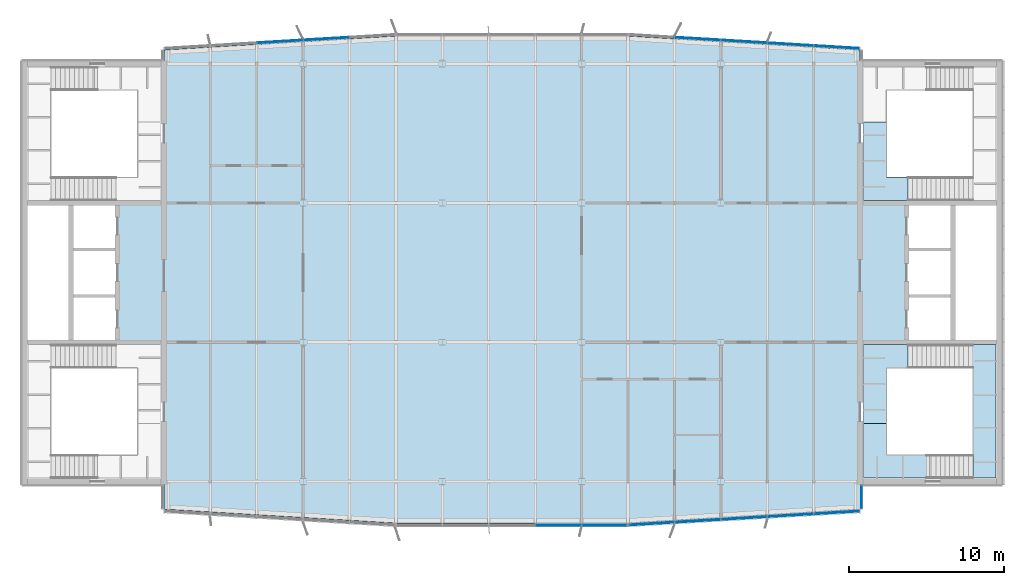
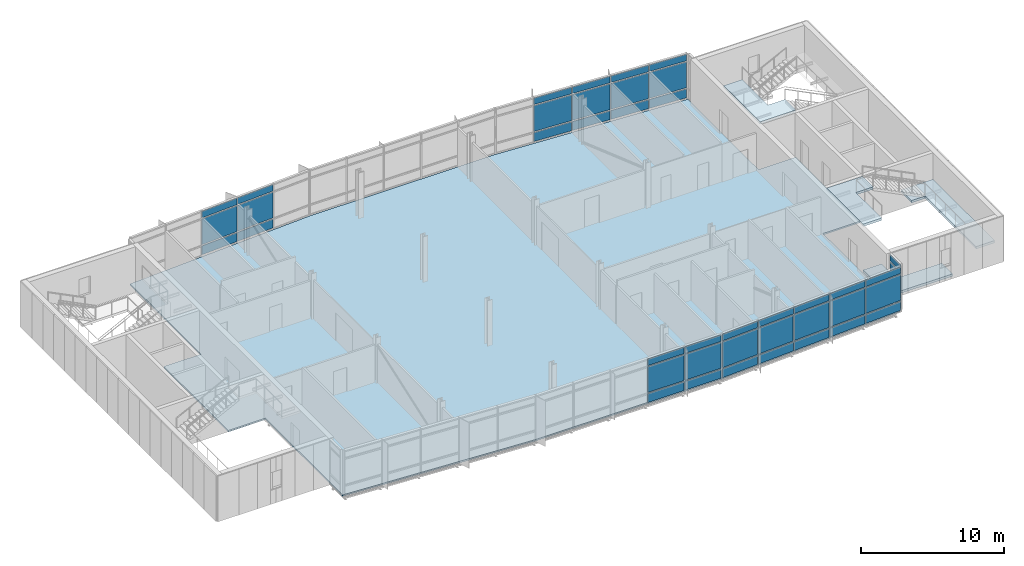
# One storey, part 12 of 21: 42 plates, 5 slabs, 7 elements without a shape of their own.
"""IFC4 building model written with IfcOpenShell, lengths in metres."""

from ifc_helpers import new_model, si_unit, direction, frame, origin, origin_2d, place, context, subcontext, project, spatial, polyline, rectangle, outline, extrude, material, layer, layer_set, type_object, element, aggregate, save


model = new_model("IFC4")

# Units and contexts
model_context = context("Model", 3, precision=1e-05, world=origin(), true_north=direction((0.0, 1.0)))
body_context = subcontext(model_context, "Body", "Model", "MODEL_VIEW")
ifc_project = project(units=[si_unit("LENGTHUNIT", "METRE"), si_unit("AREAUNIT", "SQUARE_METRE"), si_unit("VOLUMEUNIT", "CUBIC_METRE"), si_unit("PLANEANGLEUNIT", "RADIAN"), si_unit("MASSUNIT", "GRAM", prefix="KILO")], contexts=[model_context])

# Site, building, storey
site_placement = place(None, origin())
site = spatial("IfcSite", under=ifc_project, at=site_placement, CompositionType="ELEMENT")
building_placement = place(site_placement, origin())
building = spatial("IfcBuilding", under=site, at=building_placement, Name="Azimuth Sports and Learning Centre", CompositionType="ELEMENT")
storey_placement = place(building_placement, frame((0.0, 0.0, 32.39990234375)))
storey = spatial("IfcBuildingStorey", under=building, at=storey_placement, Name="L06", CompositionType="ELEMENT", Elevation=32.39990234375)

# Slab
ifc_material_1 = material(Name="Concrete C30/37", Category="concrete")
ifc_layer_1 = layer(ifc_material_1, 0.1298828125)
ifc_layer_set_1 = layer_set([ifc_layer_1], Name="Concrete C30/37")
slab_type_1 = type_object("IfcSlabType", Name="Composite floor slab 130", PredefinedType="FLOOR", material=ifc_layer_set_1)
slab_1_placement = place(storey_placement, frame((0.0, 0.0, -0.1298828125)))
element("IfcSlab", 1, at=slab_1_placement, inside=storey, type_object=slab_type_1, Name="Slab TOWER L06", PredefinedType="FLOOR", context=body_context, shape_type="SweptSolid", body=[
    extrude(outline(polyline([(78.0, 87.300048828125), (93.0, 87.300048828125), (108.0, 88.199951171875), (108.0, 99.0), (111.0, 99.0), (111.0, 108.0), (108.0, 108.0), (108.0, 117.89990234375), (93.0, 118.800048828125), (78.0, 118.800048828125), (63.0, 117.89990234375), (63.0, 108.0), (60.0, 108.0), (60.0, 99.0), (63.0, 99.0), (63.0, 88.199951171875), (78.0, 87.300048828125)])), origin(), (0.0, 0.0, 1.0), 0.1298828125),
])

# Stair, slabs
ifc_material_2 = material(Name="Concrete C32/40", Category="concrete")
stair_type = type_object("IfcStairType", Name="Square-well stair core 3900 storey", PredefinedType="THREE_QUARTER_TURN_STAIR", material=ifc_material_2)
stair_1_placement = place(storey_placement, origin())
stair_1 = element("IfcStair", 2, at=stair_1_placement, inside=storey, type_object=stair_type, Name="Stair E1 L06-L07", PredefinedType="THREE_QUARTER_TURN_STAIR")
ifc_material_3 = material(Name="Concrete C32/40", Category="concrete")
ifc_layer_2 = layer(ifc_material_3, 0.199951171875)
ifc_layer_set_2 = layer_set([ifc_layer_2], Name="Concrete C32/40")
slab_type_2 = type_object("IfcSlabType", Name="Concrete stair landing", PredefinedType="LANDING", material=ifc_layer_set_2)
slab_2_placement = place(storey_placement, frame((0.0, 0.0, -0.199951171875)))
slab_2 = element("IfcSlab", 3, at=slab_2_placement, type_object=slab_type_2, Name="Stair E1 L06 landing 1", PredefinedType="LANDING", context=body_context, shape_type="SweptSolid", body=[
    extrude(outline(polyline([(113.389892578125, 91.7099609375), (109.7099609375, 91.7099609375), (109.7099609375, 93.75), (108.2099609375, 93.75), (108.2099609375, 90.2099609375), (113.389892578125, 90.2099609375), (113.389892578125, 91.7099609375)])), origin(), (0.0, 0.0, 1.0), 0.199951171875),
])
slab_3_placement = place(storey_placement, frame((0.0, 0.0, 1.4501953125)))
slab_3 = element("IfcSlab", 4, at=slab_3_placement, type_object=slab_type_2, Name="Stair E1 L06 landing 2", PredefinedType="LANDING", context=body_context, shape_type="SweptSolid", body=[
    extrude(outline(polyline([(115.2900390625, 91.7099609375), (115.289306640625, 91.7099609375), (115.289306640625, 90.2099609375), (116.7900390625, 90.2099609375), (116.7900390625, 98.840087890625), (114.18994140625, 98.840087890625), (114.18994140625, 97.340087890625), (115.2900390625, 97.340087890625), (115.2900390625, 91.7099609375)])), origin(), (0.0, 0.0, 1.0), 0.199951171875),
])
slab_4_placement = place(storey_placement, frame((0.0, 0.0, 3.7001953125)))
slab_4 = element("IfcSlab", 5, at=slab_4_placement, type_object=slab_type_2, Name="Stair E1 L06 landing 3", PredefinedType="LANDING", context=body_context, shape_type="SweptSolid", body=[
    extrude(outline(polyline([(109.7099609375, 97.340087890625), (111.0908203125, 97.340087890625), (111.0908203125, 98.840087890625), (108.2099609375, 98.840087890625), (108.2099609375, 93.75), (109.7099609375, 93.75), (109.7099609375, 97.340087890625)])), origin(), (0.0, 0.0, 1.0), 0.199951171875),
])
aggregate(stair_1, [slab_2, slab_3, slab_4])

# Stair, slab
stair_2_placement = place(storey_placement, origin())
stair_2 = element("IfcStair", 6, at=stair_2_placement, inside=storey, type_object=stair_type, Name="Stair E2 L06-L07", PredefinedType="THREE_QUARTER_TURN_STAIR")
slab_5_placement = place(storey_placement, frame((0.0, 0.0, 3.7001953125)))
slab_5 = element("IfcSlab", 7, at=slab_5_placement, type_object=slab_type_2, Name="Stair E2 L06 landing 3", PredefinedType="LANDING", context=body_context, shape_type="SweptSolid", body=[
    extrude(outline(polyline([(109.7099609375, 109.659912109375), (109.7099609375, 113.25), (108.2099609375, 113.25), (108.2099609375, 108.159912109375), (111.0908203125, 108.159912109375), (111.0908203125, 109.659912109375), (109.7099609375, 109.659912109375)])), origin(), (0.0, 0.0, 1.0), 0.199951171875),
])
aggregate(stair_2, [slab_5])

# Curtain wall, plates
ifc_material_4 = material(Name="Aluminium and glass", Category="aluminium")
curtain_wall_type_1 = type_object("IfcCurtainWallType", Name="Curtain wall tower south 240", PredefinedType="NOTDEFINED", material=ifc_material_4)
curtain_wall_1_placement = place(storey_placement, origin())
curtain_wall_1 = element("IfcCurtainWall", 8, at=curtain_wall_1_placement, inside=storey, type_object=curtain_wall_type_1, Name="Curtain wall CW06-003", PredefinedType="NOTDEFINED")
ifc_material_5 = material(Name="Insulated aluminium panel", Category="aluminium")
ifc_layer_3 = layer(ifc_material_5, 0.050048828125)
ifc_layer_set_3 = layer_set([ifc_layer_3], Name="Insulated aluminium panel")
plate_type_1 = type_object("IfcPlateType", Name="Spandrel panel 50 mm", PredefinedType="CURTAIN_PANEL", material=ifc_layer_set_3)
plate_1_placement = place(storey_placement, frame((88.5, 87.179931640625, 0.10009765625), z_axis=(0.0, 0.0, 1.0), x_axis=(1.0, 0.0, 0.0)))
plate_1 = element("IfcPlate", 9, at=plate_1_placement, type_object=plate_type_1, Name="CW06-003 panel 4.1", PredefinedType="CURTAIN_PANEL", context=body_context, shape_type="SweptSolid", body=[
    extrude(rectangle(XDim=2.929931640625, YDim=0.050048828125, at=origin_2d()), origin(), (0.0, 0.0, 1.0), 0.75),
])
plate_2_placement = place(storey_placement, frame((88.5, 87.179931640625, 3.25), z_axis=(0.0, 0.0, 1.0), x_axis=(1.0, 0.0, 0.0)))
plate_2 = element("IfcPlate", 10, at=plate_2_placement, type_object=plate_type_1, Name="CW06-003 panel 4.3", PredefinedType="CURTAIN_PANEL", context=body_context, shape_type="SweptSolid", body=[
    extrude(rectangle(XDim=2.929931640625, YDim=0.050048828125, at=origin_2d()), origin(), (0.0, 0.0, 1.0), 0.550048828125),
])
plate_3_placement = place(storey_placement, frame((91.482421875, 87.179931640625, 0.10009765625), z_axis=(0.0, 0.0, 1.0), x_axis=(1.0, 0.0, 0.0)))
plate_3 = element("IfcPlate", 11, at=plate_3_placement, type_object=plate_type_1, Name="CW06-003 panel 5.1", PredefinedType="CURTAIN_PANEL", context=body_context, shape_type="SweptSolid", body=[
    extrude(rectangle(XDim=2.89501953125, YDim=0.050048828125, at=origin_2d()), origin(), (0.0, 0.0, 1.0), 0.75),
])
plate_4_placement = place(storey_placement, frame((91.482421875, 87.179931640625, 3.25), z_axis=(0.0, 0.0, 1.0), x_axis=(1.0, 0.0, 0.0)))
plate_4 = element("IfcPlate", 12, at=plate_4_placement, type_object=plate_type_1, Name="CW06-003 panel 5.3", PredefinedType="CURTAIN_PANEL", context=body_context, shape_type="SweptSolid", body=[
    extrude(rectangle(XDim=2.89501953125, YDim=0.050048828125, at=origin_2d()), origin(), (0.0, 0.0, 1.0), 0.550048828125),
])

curtain_wall_2_placement = place(storey_placement, origin())
curtain_wall_2 = element("IfcCurtainWall", 13, at=curtain_wall_2_placement, inside=storey, type_object=curtain_wall_type_1, Name="Curtain wall CW06-004", PredefinedType="NOTDEFINED")
plate_5_placement = place(storey_placement, frame((94.52099609375, 87.27099609375, 0.10009765625), z_axis=(0.0, 0.0, 1.0), x_axis=(0.998204863401, 0.059891991812, 0.0)))
plate_5 = element("IfcPlate", 14, at=plate_5_placement, type_object=plate_type_1, Name="CW06-004 panel 1.1", PredefinedType="CURTAIN_PANEL", context=body_context, shape_type="SweptSolid", body=[
    extrude(rectangle(XDim=2.90771484375, YDim=0.050048828125, at=origin_2d()), origin(), (0.0, 0.0, 1.0), 0.75),
])
plate_6_placement = place(storey_placement, frame((94.52099609375, 87.27099609375, 3.25), z_axis=(0.0, 0.0, 1.0), x_axis=(0.998204863401, 0.059891991812, 0.0)))
plate_6 = element("IfcPlate", 15, at=plate_6_placement, type_object=plate_type_1, Name="CW06-004 panel 1.3", PredefinedType="CURTAIN_PANEL", context=body_context, shape_type="SweptSolid", body=[
    extrude(rectangle(XDim=2.90771484375, YDim=0.050048828125, at=origin_2d()), origin(), (0.0, 0.0, 1.0), 0.550048828125),
])
plate_7_placement = place(storey_placement, frame((97.507080078125, 87.4501953125, 0.10009765625), z_axis=(0.0, 0.0, 1.0), x_axis=(0.998204863401, 0.059891991812, 0.0)))
plate_7 = element("IfcPlate", 16, at=plate_7_placement, type_object=plate_type_1, Name="CW06-004 panel 2.1", PredefinedType="CURTAIN_PANEL", context=body_context, shape_type="SweptSolid", body=[
    extrude(rectangle(XDim=2.935302734375, YDim=0.050048828125, at=origin_2d()), origin(), (0.0, 0.0, 1.0), 0.75),
])
plate_8_placement = place(storey_placement, frame((97.507080078125, 87.4501953125, 3.25), z_axis=(0.0, 0.0, 1.0), x_axis=(0.998204863401, 0.059891991812, 0.0)))
plate_8 = element("IfcPlate", 17, at=plate_8_placement, type_object=plate_type_1, Name="CW06-004 panel 2.3", PredefinedType="CURTAIN_PANEL", context=body_context, shape_type="SweptSolid", body=[
    extrude(rectangle(XDim=2.935302734375, YDim=0.050048828125, at=origin_2d()), origin(), (0.0, 0.0, 1.0), 0.550048828125),
])
plate_9_placement = place(storey_placement, frame((100.507080078125, 87.630126953125, 0.10009765625), z_axis=(0.0, 0.0, 1.0), x_axis=(0.998204863401, 0.059891991812, 0.0)))
plate_9 = element("IfcPlate", 18, at=plate_9_placement, type_object=plate_type_1, Name="CW06-004 panel 3.1", PredefinedType="CURTAIN_PANEL", context=body_context, shape_type="SweptSolid", body=[
    extrude(rectangle(XDim=2.935302734375, YDim=0.050048828125, at=origin_2d()), origin(), (0.0, 0.0, 1.0), 0.75),
])
plate_10_placement = place(storey_placement, frame((100.507080078125, 87.630126953125, 3.25), z_axis=(0.0, 0.0, 1.0), x_axis=(0.998204863401, 0.059891991812, 0.0)))
plate_10 = element("IfcPlate", 19, at=plate_10_placement, type_object=plate_type_1, Name="CW06-004 panel 3.3", PredefinedType="CURTAIN_PANEL", context=body_context, shape_type="SweptSolid", body=[
    extrude(rectangle(XDim=2.935302734375, YDim=0.050048828125, at=origin_2d()), origin(), (0.0, 0.0, 1.0), 0.550048828125),
])
plate_11_placement = place(storey_placement, frame((103.507080078125, 87.810302734375, 0.10009765625), z_axis=(0.0, 0.0, 1.0), x_axis=(0.998204863401, 0.059891991812, 0.0)))
plate_11 = element("IfcPlate", 20, at=plate_11_placement, type_object=plate_type_1, Name="CW06-004 panel 4.1", PredefinedType="CURTAIN_PANEL", context=body_context, shape_type="SweptSolid", body=[
    extrude(rectangle(XDim=2.935302734375, YDim=0.050048828125, at=origin_2d()), origin(), (0.0, 0.0, 1.0), 0.75),
])
plate_12_placement = place(storey_placement, frame((103.507080078125, 87.810302734375, 3.25), z_axis=(0.0, 0.0, 1.0), x_axis=(0.998204863401, 0.059891991812, 0.0)))
plate_12 = element("IfcPlate", 21, at=plate_12_placement, type_object=plate_type_1, Name="CW06-004 panel 4.3", PredefinedType="CURTAIN_PANEL", context=body_context, shape_type="SweptSolid", body=[
    extrude(rectangle(XDim=2.935302734375, YDim=0.050048828125, at=origin_2d()), origin(), (0.0, 0.0, 1.0), 0.550048828125),
])
plate_13_placement = place(storey_placement, frame((106.48974609375, 87.9892578125, 0.10009765625), z_axis=(0.0, 0.0, 1.0), x_axis=(0.998204863401, 0.059891991812, 0.0)))
plate_13 = element("IfcPlate", 22, at=plate_13_placement, type_object=plate_type_1, Name="CW06-004 panel 5.1", PredefinedType="CURTAIN_PANEL", context=body_context, shape_type="SweptSolid", body=[
    extrude(rectangle(XDim=2.900390625, YDim=0.050048828125, at=origin_2d()), origin(), (0.0, 0.0, 1.0), 0.75),
])
plate_14_placement = place(storey_placement, frame((106.48974609375, 87.9892578125, 3.25), z_axis=(0.0, 0.0, 1.0), x_axis=(0.998204863401, 0.059891991812, 0.0)))
plate_14 = element("IfcPlate", 23, at=plate_14_placement, type_object=plate_type_1, Name="CW06-004 panel 5.3", PredefinedType="CURTAIN_PANEL", context=body_context, shape_type="SweptSolid", body=[
    extrude(rectangle(XDim=2.900390625, YDim=0.050048828125, at=origin_2d()), origin(), (0.0, 0.0, 1.0), 0.550048828125),
])

ifc_material_6 = material(Name="Aluminium and glass", Category="aluminium")
curtain_wall_type_2 = type_object("IfcCurtainWallType", Name="Curtain wall tower return 180", PredefinedType="NOTDEFINED", material=ifc_material_6)
curtain_wall_3_placement = place(storey_placement, origin())
curtain_wall_3 = element("IfcCurtainWall", 24, at=curtain_wall_3_placement, inside=storey, type_object=curtain_wall_type_2, Name="Curtain wall CW06-005", PredefinedType="NOTDEFINED")
plate_15_placement = place(storey_placement, frame((108.090087890625, 89.0, 0.10009765625), z_axis=(0.0, 0.0, 1.0), x_axis=(0.0, 1.0, 0.0)))
plate_15 = element("IfcPlate", 25, at=plate_15_placement, type_object=plate_type_1, Name="CW06-005 panel 1.1", PredefinedType="CURTAIN_PANEL", context=body_context, shape_type="SweptSolid", body=[
    extrude(rectangle(XDim=1.47998046875, YDim=0.050048828125, at=origin_2d()), origin(), (0.0, 0.0, 1.0), 0.75),
])
plate_16_placement = place(storey_placement, frame((108.090087890625, 89.0, 3.25), z_axis=(0.0, 0.0, 1.0), x_axis=(0.0, 1.0, 0.0)))
plate_16 = element("IfcPlate", 26, at=plate_16_placement, type_object=plate_type_1, Name="CW06-005 panel 1.3", PredefinedType="CURTAIN_PANEL", context=body_context, shape_type="SweptSolid", body=[
    extrude(rectangle(XDim=1.47998046875, YDim=0.050048828125, at=origin_2d()), origin(), (0.0, 0.0, 1.0), 0.550048828125),
])

ifc_material_7 = material(Name="Aluminium and glass", Category="aluminium")
curtain_wall_type_3 = type_object("IfcCurtainWallType", Name="Curtain wall tower north 180", PredefinedType="NOTDEFINED", material=ifc_material_7)
curtain_wall_4_placement = place(storey_placement, origin())
curtain_wall_4 = element("IfcCurtainWall", 27, at=curtain_wall_4_placement, inside=storey, type_object=curtain_wall_type_3, Name="Curtain wall CW06-007", PredefinedType="NOTDEFINED")
plate_17_placement = place(storey_placement, frame((106.490478515625, 118.080810546875, 0.10009765625), z_axis=(0.0, 0.0, 1.0), x_axis=(-0.998204863401, 0.059891991812, 0.0)))
plate_17 = element("IfcPlate", 28, at=plate_17_placement, type_object=plate_type_1, Name="CW06-007 panel 1.1", PredefinedType="CURTAIN_PANEL", context=body_context, shape_type="SweptSolid", body=[
    extrude(rectangle(XDim=2.915283203125, YDim=0.050048828125, at=origin_2d()), origin(), (0.0, 0.0, 1.0), 0.75),
])
plate_18_placement = place(storey_placement, frame((106.490478515625, 118.080810546875, 3.25), z_axis=(0.0, 0.0, 1.0), x_axis=(-0.998204863401, 0.059891991812, 0.0)))
plate_18 = element("IfcPlate", 29, at=plate_18_placement, type_object=plate_type_1, Name="CW06-007 panel 1.3", PredefinedType="CURTAIN_PANEL", context=body_context, shape_type="SweptSolid", body=[
    extrude(rectangle(XDim=2.915283203125, YDim=0.050048828125, at=origin_2d()), origin(), (0.0, 0.0, 1.0), 0.550048828125),
])
plate_19_placement = place(storey_placement, frame((103.50537109375, 118.259765625, 0.10009765625), z_axis=(0.0, 0.0, 1.0), x_axis=(-0.998204863401, 0.059891991812, 0.0)))
plate_19 = element("IfcPlate", 30, at=plate_19_placement, type_object=plate_type_1, Name="CW06-007 panel 2.1", PredefinedType="CURTAIN_PANEL", context=body_context, shape_type="SweptSolid", body=[
    extrude(rectangle(XDim=2.9453125, YDim=0.050048828125, at=origin_2d()), origin(), (0.0, 0.0, 1.0), 0.75),
])
plate_20_placement = place(storey_placement, frame((103.50537109375, 118.259765625, 3.25), z_axis=(0.0, 0.0, 1.0), x_axis=(-0.998204863401, 0.059891991812, 0.0)))
plate_20 = element("IfcPlate", 31, at=plate_20_placement, type_object=plate_type_1, Name="CW06-007 panel 2.3", PredefinedType="CURTAIN_PANEL", context=body_context, shape_type="SweptSolid", body=[
    extrude(rectangle(XDim=2.9453125, YDim=0.050048828125, at=origin_2d()), origin(), (0.0, 0.0, 1.0), 0.550048828125),
])
plate_21_placement = place(storey_placement, frame((100.50537109375, 118.43994140625, 0.10009765625), z_axis=(0.0, 0.0, 1.0), x_axis=(-0.998204863401, 0.059891991812, 0.0)))
plate_21 = element("IfcPlate", 32, at=plate_21_placement, type_object=plate_type_1, Name="CW06-007 panel 3.1", PredefinedType="CURTAIN_PANEL", context=body_context, shape_type="SweptSolid", body=[
    extrude(rectangle(XDim=2.9453125, YDim=0.050048828125, at=origin_2d()), origin(), (0.0, 0.0, 1.0), 0.75),
])
plate_22_placement = place(storey_placement, frame((100.50537109375, 118.43994140625, 3.25), z_axis=(0.0, 0.0, 1.0), x_axis=(-0.998204863401, 0.059891991812, 0.0)))
plate_22 = element("IfcPlate", 33, at=plate_22_placement, type_object=plate_type_1, Name="CW06-007 panel 3.3", PredefinedType="CURTAIN_PANEL", context=body_context, shape_type="SweptSolid", body=[
    extrude(rectangle(XDim=2.9453125, YDim=0.050048828125, at=origin_2d()), origin(), (0.0, 0.0, 1.0), 0.550048828125),
])
plate_23_placement = place(storey_placement, frame((97.50537109375, 118.619873046875, 0.10009765625), z_axis=(0.0, 0.0, 1.0), x_axis=(-0.998204863401, 0.059891991812, 0.0)))
plate_23 = element("IfcPlate", 34, at=plate_23_placement, type_object=plate_type_1, Name="CW06-007 panel 4.1", PredefinedType="CURTAIN_PANEL", context=body_context, shape_type="SweptSolid", body=[
    extrude(rectangle(XDim=2.9453125, YDim=0.050048828125, at=origin_2d()), origin(), (0.0, 0.0, 1.0), 0.75),
])
plate_24_placement = place(storey_placement, frame((97.50537109375, 118.619873046875, 3.25), z_axis=(0.0, 0.0, 1.0), x_axis=(-0.998204863401, 0.059891991812, 0.0)))
plate_24 = element("IfcPlate", 35, at=plate_24_placement, type_object=plate_type_1, Name="CW06-007 panel 4.3", PredefinedType="CURTAIN_PANEL", context=body_context, shape_type="SweptSolid", body=[
    extrude(rectangle(XDim=2.9453125, YDim=0.050048828125, at=origin_2d()), origin(), (0.0, 0.0, 1.0), 0.550048828125),
])

curtain_wall_5_placement = place(storey_placement, origin())
curtain_wall_5 = element("IfcCurtainWall", 36, at=curtain_wall_5_placement, inside=storey, type_object=curtain_wall_type_3, Name="Curtain wall CW06-009", PredefinedType="NOTDEFINED")
plate_25_placement = place(storey_placement, frame((73.49462890625, 118.619873046875, 0.10009765625), z_axis=(0.0, 0.0, 1.0), x_axis=(-0.998204863401, -0.059891991812, 0.0)))
plate_25 = element("IfcPlate", 37, at=plate_25_placement, type_object=plate_type_1, Name="CW06-009 panel 2.1", PredefinedType="CURTAIN_PANEL", context=body_context, shape_type="SweptSolid", body=[
    extrude(rectangle(XDim=2.9453125, YDim=0.050048828125, at=origin_2d()), origin(), (0.0, 0.0, 1.0), 0.75),
])
plate_26_placement = place(storey_placement, frame((73.49462890625, 118.619873046875, 3.25), z_axis=(0.0, 0.0, 1.0), x_axis=(-0.998204863401, -0.059891991812, 0.0)))
plate_26 = element("IfcPlate", 38, at=plate_26_placement, type_object=plate_type_1, Name="CW06-009 panel 2.3", PredefinedType="CURTAIN_PANEL", context=body_context, shape_type="SweptSolid", body=[
    extrude(rectangle(XDim=2.9453125, YDim=0.050048828125, at=origin_2d()), origin(), (0.0, 0.0, 1.0), 0.550048828125),
])
plate_27_placement = place(storey_placement, frame((70.49462890625, 118.43994140625, 0.10009765625), z_axis=(0.0, 0.0, 1.0), x_axis=(-0.998204863401, -0.059891991812, 0.0)))
plate_27 = element("IfcPlate", 39, at=plate_27_placement, type_object=plate_type_1, Name="CW06-009 panel 3.1", PredefinedType="CURTAIN_PANEL", context=body_context, shape_type="SweptSolid", body=[
    extrude(rectangle(XDim=2.9453125, YDim=0.050048828125, at=origin_2d()), origin(), (0.0, 0.0, 1.0), 0.75),
])
plate_28_placement = place(storey_placement, frame((70.49462890625, 118.43994140625, 3.25), z_axis=(0.0, 0.0, 1.0), x_axis=(-0.998204863401, -0.059891991812, 0.0)))
plate_28 = element("IfcPlate", 40, at=plate_28_placement, type_object=plate_type_1, Name="CW06-009 panel 3.3", PredefinedType="CURTAIN_PANEL", context=body_context, shape_type="SweptSolid", body=[
    extrude(rectangle(XDim=2.9453125, YDim=0.050048828125, at=origin_2d()), origin(), (0.0, 0.0, 1.0), 0.550048828125),
])

# Plate
ifc_material_8 = material(Name="Glass", Category="glass")
ifc_layer_4 = layer(ifc_material_8, 0.031982421875)
ifc_layer_set_4 = layer_set([ifc_layer_4], Name="Glass")
plate_type_2 = type_object("IfcPlateType", Name="Vision glass 32 mm", PredefinedType="CURTAIN_PANEL", material=ifc_layer_set_4)
plate_29_placement = place(storey_placement, frame((88.5, 87.179931640625, 0.9501953125), z_axis=(0.0, 0.0, 1.0), x_axis=(1.0, 0.0, 0.0)))
plate_29 = element("IfcPlate", 41, at=plate_29_placement, type_object=plate_type_2, Name="CW06-003 panel 4.2", PredefinedType="CURTAIN_PANEL", context=body_context, shape_type="SweptSolid", body=[
    extrude(rectangle(XDim=2.929931640625, YDim=0.031982421875, at=origin_2d()), origin(), (0.0, 0.0, 1.0), 2.199951171875),
])

plate_30_placement = place(storey_placement, frame((91.482421875, 87.179931640625, 0.9501953125), z_axis=(0.0, 0.0, 1.0), x_axis=(1.0, 0.0, 0.0)))
plate_30 = element("IfcPlate", 42, at=plate_30_placement, type_object=plate_type_2, Name="CW06-003 panel 5.2", PredefinedType="CURTAIN_PANEL", context=body_context, shape_type="SweptSolid", body=[
    extrude(rectangle(XDim=2.89501953125, YDim=0.031982421875, at=origin_2d()), origin(), (0.0, 0.0, 1.0), 2.199951171875),
])

aggregate(curtain_wall_1, [plate_1, plate_29, plate_2, plate_3, plate_30, plate_4])

plate_31_placement = place(storey_placement, frame((94.52099609375, 87.27099609375, 0.9501953125), z_axis=(0.0, 0.0, 1.0), x_axis=(0.998204863401, 0.059891991812, 0.0)))
plate_31 = element("IfcPlate", 43, at=plate_31_placement, type_object=plate_type_2, Name="CW06-004 panel 1.2", PredefinedType="CURTAIN_PANEL", context=body_context, shape_type="SweptSolid", body=[
    extrude(rectangle(XDim=2.90771484375, YDim=0.031982421875, at=origin_2d()), origin(), (0.0, 0.0, 1.0), 2.199951171875),
])

plate_32_placement = place(storey_placement, frame((97.507080078125, 87.4501953125, 0.9501953125), z_axis=(0.0, 0.0, 1.0), x_axis=(0.998204863401, 0.059891991812, 0.0)))
plate_32 = element("IfcPlate", 44, at=plate_32_placement, type_object=plate_type_2, Name="CW06-004 panel 2.2", PredefinedType="CURTAIN_PANEL", context=body_context, shape_type="SweptSolid", body=[
    extrude(rectangle(XDim=2.935302734375, YDim=0.031982421875, at=origin_2d()), origin(), (0.0, 0.0, 1.0), 2.199951171875),
])

plate_33_placement = place(storey_placement, frame((100.507080078125, 87.630126953125, 0.9501953125), z_axis=(0.0, 0.0, 1.0), x_axis=(0.998204863401, 0.059891991812, 0.0)))
plate_33 = element("IfcPlate", 45, at=plate_33_placement, type_object=plate_type_2, Name="CW06-004 panel 3.2", PredefinedType="CURTAIN_PANEL", context=body_context, shape_type="SweptSolid", body=[
    extrude(rectangle(XDim=2.935302734375, YDim=0.031982421875, at=origin_2d()), origin(), (0.0, 0.0, 1.0), 2.199951171875),
])

plate_34_placement = place(storey_placement, frame((103.507080078125, 87.810302734375, 0.9501953125), z_axis=(0.0, 0.0, 1.0), x_axis=(0.998204863401, 0.059891991812, 0.0)))
plate_34 = element("IfcPlate", 46, at=plate_34_placement, type_object=plate_type_2, Name="CW06-004 panel 4.2", PredefinedType="CURTAIN_PANEL", context=body_context, shape_type="SweptSolid", body=[
    extrude(rectangle(XDim=2.935302734375, YDim=0.031982421875, at=origin_2d()), origin(), (0.0, 0.0, 1.0), 2.199951171875),
])

plate_35_placement = place(storey_placement, frame((106.48974609375, 87.9892578125, 0.9501953125), z_axis=(0.0, 0.0, 1.0), x_axis=(0.998204863401, 0.059891991812, 0.0)))
plate_35 = element("IfcPlate", 47, at=plate_35_placement, type_object=plate_type_2, Name="CW06-004 panel 5.2", PredefinedType="CURTAIN_PANEL", context=body_context, shape_type="SweptSolid", body=[
    extrude(rectangle(XDim=2.900390625, YDim=0.031982421875, at=origin_2d()), origin(), (0.0, 0.0, 1.0), 2.199951171875),
])

aggregate(curtain_wall_2, [plate_5, plate_31, plate_6, plate_7, plate_32, plate_8, plate_9, plate_33, plate_10, plate_11, plate_34, plate_12, plate_13, plate_35, plate_14])

plate_36_placement = place(storey_placement, frame((108.090087890625, 89.0, 0.9501953125), z_axis=(0.0, 0.0, 1.0), x_axis=(0.0, 1.0, 0.0)))
plate_36 = element("IfcPlate", 48, at=plate_36_placement, type_object=plate_type_2, Name="CW06-005 panel 1.2", PredefinedType="CURTAIN_PANEL", context=body_context, shape_type="SweptSolid", body=[
    extrude(rectangle(XDim=1.47998046875, YDim=0.031982421875, at=origin_2d()), origin(), (0.0, 0.0, 1.0), 2.199951171875),
])

aggregate(curtain_wall_3, [plate_15, plate_36, plate_16])

plate_37_placement = place(storey_placement, frame((106.490478515625, 118.080810546875, 0.9501953125), z_axis=(0.0, 0.0, 1.0), x_axis=(-0.998204863401, 0.059891991812, 0.0)))
plate_37 = element("IfcPlate", 49, at=plate_37_placement, type_object=plate_type_2, Name="CW06-007 panel 1.2", PredefinedType="CURTAIN_PANEL", context=body_context, shape_type="SweptSolid", body=[
    extrude(rectangle(XDim=2.915283203125, YDim=0.031982421875, at=origin_2d()), origin(), (0.0, 0.0, 1.0), 2.199951171875),
])

plate_38_placement = place(storey_placement, frame((103.50537109375, 118.259765625, 0.9501953125), z_axis=(0.0, 0.0, 1.0), x_axis=(-0.998204863401, 0.059891991812, 0.0)))
plate_38 = element("IfcPlate", 50, at=plate_38_placement, type_object=plate_type_2, Name="CW06-007 panel 2.2", PredefinedType="CURTAIN_PANEL", context=body_context, shape_type="SweptSolid", body=[
    extrude(rectangle(XDim=2.9453125, YDim=0.031982421875, at=origin_2d()), origin(), (0.0, 0.0, 1.0), 2.199951171875),
])

plate_39_placement = place(storey_placement, frame((100.50537109375, 118.43994140625, 0.9501953125), z_axis=(0.0, 0.0, 1.0), x_axis=(-0.998204863401, 0.059891991812, 0.0)))
plate_39 = element("IfcPlate", 51, at=plate_39_placement, type_object=plate_type_2, Name="CW06-007 panel 3.2", PredefinedType="CURTAIN_PANEL", context=body_context, shape_type="SweptSolid", body=[
    extrude(rectangle(XDim=2.9453125, YDim=0.031982421875, at=origin_2d()), origin(), (0.0, 0.0, 1.0), 2.199951171875),
])

plate_40_placement = place(storey_placement, frame((97.50537109375, 118.619873046875, 0.9501953125), z_axis=(0.0, 0.0, 1.0), x_axis=(-0.998204863401, 0.059891991812, 0.0)))
plate_40 = element("IfcPlate", 52, at=plate_40_placement, type_object=plate_type_2, Name="CW06-007 panel 4.2", PredefinedType="CURTAIN_PANEL", context=body_context, shape_type="SweptSolid", body=[
    extrude(rectangle(XDim=2.9453125, YDim=0.031982421875, at=origin_2d()), origin(), (0.0, 0.0, 1.0), 2.199951171875),
])

aggregate(curtain_wall_4, [plate_17, plate_37, plate_18, plate_19, plate_38, plate_20, plate_21, plate_39, plate_22, plate_23, plate_40, plate_24])

plate_41_placement = place(storey_placement, frame((73.49462890625, 118.619873046875, 0.9501953125), z_axis=(0.0, 0.0, 1.0), x_axis=(-0.998204863401, -0.059891991812, 0.0)))
plate_41 = element("IfcPlate", 53, at=plate_41_placement, type_object=plate_type_2, Name="CW06-009 panel 2.2", PredefinedType="CURTAIN_PANEL", context=body_context, shape_type="SweptSolid", body=[
    extrude(rectangle(XDim=2.9453125, YDim=0.031982421875, at=origin_2d()), origin(), (0.0, 0.0, 1.0), 2.199951171875),
])

plate_42_placement = place(storey_placement, frame((70.49462890625, 118.43994140625, 0.9501953125), z_axis=(0.0, 0.0, 1.0), x_axis=(-0.998204863401, -0.059891991812, 0.0)))
plate_42 = element("IfcPlate", 54, at=plate_42_placement, type_object=plate_type_2, Name="CW06-009 panel 3.2", PredefinedType="CURTAIN_PANEL", context=body_context, shape_type="SweptSolid", body=[
    extrude(rectangle(XDim=2.9453125, YDim=0.031982421875, at=origin_2d()), origin(), (0.0, 0.0, 1.0), 2.199951171875),
])

aggregate(curtain_wall_5, [plate_25, plate_41, plate_26, plate_27, plate_42, plate_28])

save(model, "model.ifc")
